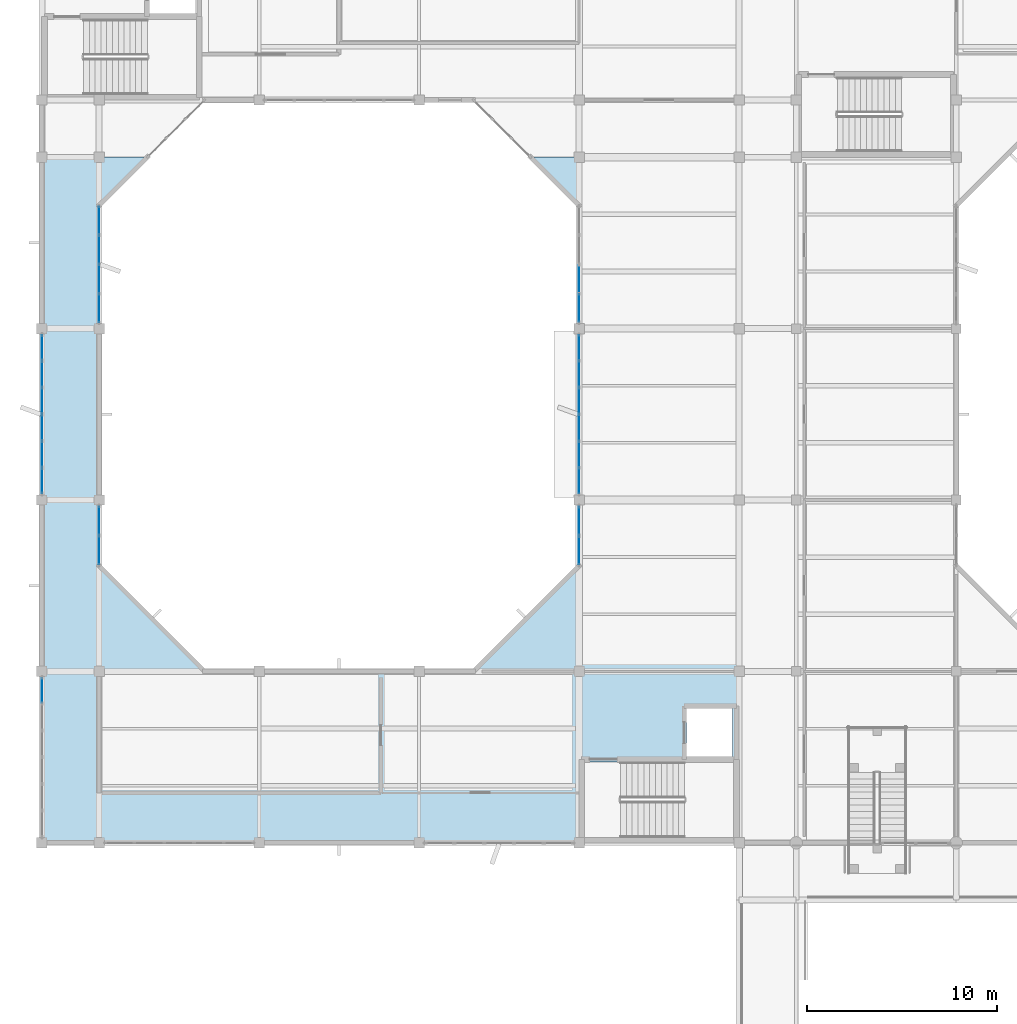
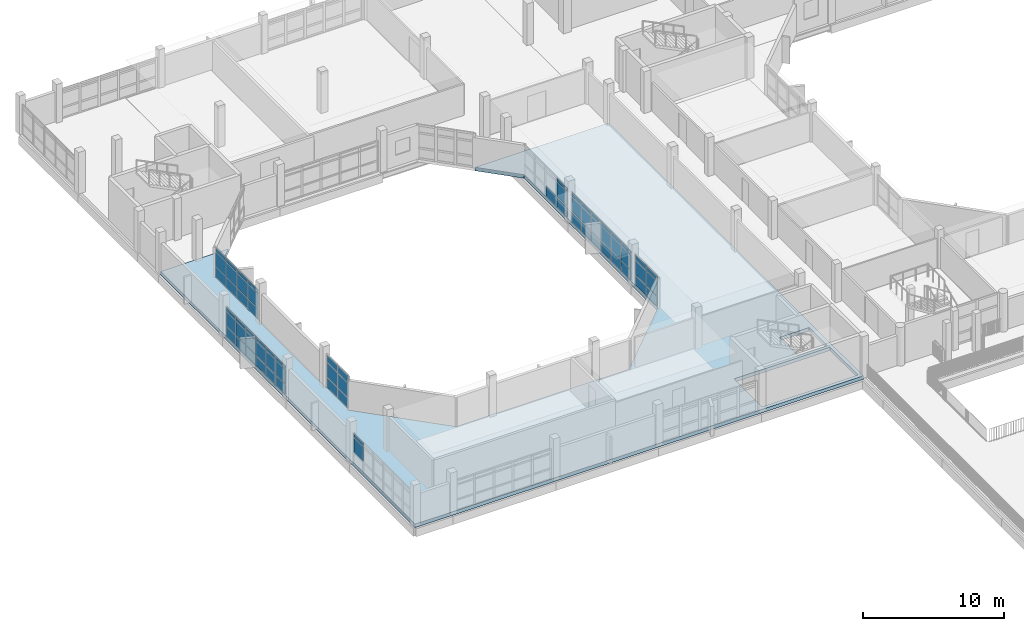
# One storey, part 24 of 51: 66 plates, 1 slab, 7 elements without a shape of their own.
"""IFC4 building model written with IfcOpenShell, lengths in metres."""

from ifc_helpers import new_model, si_unit, direction, frame, origin, origin_2d, place, context, subcontext, project, spatial, polyline, rectangle, outline, extrude, material, layer, layer_set, type_object, element, aggregate, save


model = new_model("IFC4")

# Units and contexts
model_context = context("Model", 3, precision=1e-05, world=origin(), true_north=direction((0.0, 1.0)))
body_context = subcontext(model_context, "Body", "Model", "MODEL_VIEW")
ifc_project = project(units=[si_unit("LENGTHUNIT", "METRE"), si_unit("AREAUNIT", "SQUARE_METRE"), si_unit("VOLUMEUNIT", "CUBIC_METRE"), si_unit("PLANEANGLEUNIT", "RADIAN"), si_unit("MASSUNIT", "GRAM", prefix="KILO")], contexts=[model_context])

# Site, building, storey
site_placement = place(None, origin())
site = spatial("IfcSite", under=ifc_project, at=site_placement, CompositionType="ELEMENT")
building_placement = place(site_placement, origin())
building = spatial("IfcBuilding", under=site, at=building_placement, Name="Vanh Quang Courtyard School", CompositionType="ELEMENT")
storey_placement = place(building_placement, frame((0.0, 0.0, 11.39990234375)))
storey = spatial("IfcBuildingStorey", under=building, at=storey_placement, Name="L03", CompositionType="ELEMENT", Elevation=11.39990234375)

# Curtain wall, plates
ifc_material_1 = material(Name="Thermally broken aluminium unitised curtain wall", Category="aluminium")
curtain_wall_type_1 = type_object("IfcCurtainWallType", Name="CW-SYS-48", PredefinedType="NOTDEFINED", material=ifc_material_1)
curtain_wall_1_placement = place(storey_placement, origin())
curtain_wall_1 = element("IfcCurtainWall", 1, at=curtain_wall_1_placement, inside=storey, type_object=curtain_wall_type_1, Name="Curtain Wall CW-48 (L03)", PredefinedType="NOTDEFINED")
ifc_material_2 = material(Name="Low-E laminated double glazing", Category="glass")
ifc_layer_1 = layer(ifc_material_2, 0.028076171875)
ifc_layer_set_1 = layer_set([ifc_layer_1], Name="Low-E laminated double glazing")
plate_type_1 = type_object("IfcPlateType", Name="CW-PNL-28", PredefinedType="CURTAIN_PANEL", material=ifc_layer_set_1)
plate_1_placement = place(storey_placement, frame((37.800048828125, 51.40576171875, 0.080078125), z_axis=(0.0, 0.0, 1.0), x_axis=(0.0, 1.0, 0.0)))
plate_1 = element("IfcPlate", 2, at=plate_1_placement, type_object=plate_type_1, Name="CW-48 panel 1.1", PredefinedType="CURTAIN_PANEL", context=body_context, shape_type="SweptSolid", body=[
    extrude(rectangle(XDim=1.28564453125, YDim=0.028076171875, at=origin_2d()), origin(), (0.0, 0.0, 1.0), 0.830078125),
])
plate_2_placement = place(storey_placement, frame((37.800048828125, 51.40576171875, 0.990234375), z_axis=(0.0, 0.0, 1.0), x_axis=(0.0, 1.0, 0.0)))
plate_2 = element("IfcPlate", 3, at=plate_2_placement, type_object=plate_type_1, Name="CW-48 panel 1.2", PredefinedType="CURTAIN_PANEL", context=body_context, shape_type="SweptSolid", body=[
    extrude(rectangle(XDim=1.28564453125, YDim=0.028076171875, at=origin_2d()), origin(), (0.0, 0.0, 1.0), 1.219970703125),
])
plate_3_placement = place(storey_placement, frame((37.800048828125, 51.40576171875, 2.2900390625), z_axis=(0.0, 0.0, 1.0), x_axis=(0.0, 1.0, 0.0)))
plate_3 = element("IfcPlate", 4, at=plate_3_placement, type_object=plate_type_1, Name="CW-48 panel 1.3", PredefinedType="CURTAIN_PANEL", context=body_context, shape_type="SweptSolid", body=[
    extrude(rectangle(XDim=1.28564453125, YDim=0.028076171875, at=origin_2d()), origin(), (0.0, 0.0, 1.0), 0.27001953125),
])
plate_4_placement = place(storey_placement, frame((37.800048828125, 52.79150390625, 0.080078125), z_axis=(0.0, 0.0, 1.0), x_axis=(0.0, 1.0, 0.0)))
plate_4 = element("IfcPlate", 5, at=plate_4_placement, type_object=plate_type_1, Name="CW-48 panel 2.1", PredefinedType="CURTAIN_PANEL", context=body_context, shape_type="SweptSolid", body=[
    extrude(rectangle(XDim=1.32568359375, YDim=0.028076171875, at=origin_2d()), origin(), (0.0, 0.0, 1.0), 0.830078125),
])
plate_5_placement = place(storey_placement, frame((37.800048828125, 52.79150390625, 0.990234375), z_axis=(0.0, 0.0, 1.0), x_axis=(0.0, 1.0, 0.0)))
plate_5 = element("IfcPlate", 6, at=plate_5_placement, type_object=plate_type_1, Name="CW-48 panel 2.2", PredefinedType="CURTAIN_PANEL", context=body_context, shape_type="SweptSolid", body=[
    extrude(rectangle(XDim=1.32568359375, YDim=0.028076171875, at=origin_2d()), origin(), (0.0, 0.0, 1.0), 1.219970703125),
])
plate_6_placement = place(storey_placement, frame((37.800048828125, 52.79150390625, 2.2900390625), z_axis=(0.0, 0.0, 1.0), x_axis=(0.0, 1.0, 0.0)))
plate_6 = element("IfcPlate", 7, at=plate_6_placement, type_object=plate_type_1, Name="CW-48 panel 2.3", PredefinedType="CURTAIN_PANEL", context=body_context, shape_type="SweptSolid", body=[
    extrude(rectangle(XDim=1.32568359375, YDim=0.028076171875, at=origin_2d()), origin(), (0.0, 0.0, 1.0), 0.27001953125),
])
plate_7_placement = place(storey_placement, frame((37.800048828125, 54.197265625, 0.080078125), z_axis=(0.0, 0.0, 1.0), x_axis=(0.0, 1.0, 0.0)))
plate_7 = element("IfcPlate", 8, at=plate_7_placement, type_object=plate_type_1, Name="CW-48 panel 3.1", PredefinedType="CURTAIN_PANEL", context=body_context, shape_type="SweptSolid", body=[
    extrude(rectangle(XDim=1.32568359375, YDim=0.028076171875, at=origin_2d()), origin(), (0.0, 0.0, 1.0), 0.830078125),
])
plate_8_placement = place(storey_placement, frame((37.800048828125, 54.197265625, 0.990234375), z_axis=(0.0, 0.0, 1.0), x_axis=(0.0, 1.0, 0.0)))
plate_8 = element("IfcPlate", 9, at=plate_8_placement, type_object=plate_type_1, Name="CW-48 panel 3.2", PredefinedType="CURTAIN_PANEL", context=body_context, shape_type="SweptSolid", body=[
    extrude(rectangle(XDim=1.32568359375, YDim=0.028076171875, at=origin_2d()), origin(), (0.0, 0.0, 1.0), 1.219970703125),
])
plate_9_placement = place(storey_placement, frame((37.800048828125, 54.197265625, 2.2900390625), z_axis=(0.0, 0.0, 1.0), x_axis=(0.0, 1.0, 0.0)))
plate_9 = element("IfcPlate", 10, at=plate_9_placement, type_object=plate_type_1, Name="CW-48 panel 3.3", PredefinedType="CURTAIN_PANEL", context=body_context, shape_type="SweptSolid", body=[
    extrude(rectangle(XDim=1.32568359375, YDim=0.028076171875, at=origin_2d()), origin(), (0.0, 0.0, 1.0), 0.27001953125),
])
plate_10_placement = place(storey_placement, frame((37.800048828125, 55.602783203125, 0.080078125), z_axis=(0.0, 0.0, 1.0), x_axis=(0.0, 1.0, 0.0)))
plate_10 = element("IfcPlate", 11, at=plate_10_placement, type_object=plate_type_1, Name="CW-48 panel 4.1", PredefinedType="CURTAIN_PANEL", context=body_context, shape_type="SweptSolid", body=[
    extrude(rectangle(XDim=1.32568359375, YDim=0.028076171875, at=origin_2d()), origin(), (0.0, 0.0, 1.0), 0.830078125),
])
plate_11_placement = place(storey_placement, frame((37.800048828125, 55.602783203125, 0.990234375), z_axis=(0.0, 0.0, 1.0), x_axis=(0.0, 1.0, 0.0)))
plate_11 = element("IfcPlate", 12, at=plate_11_placement, type_object=plate_type_1, Name="CW-48 panel 4.2", PredefinedType="CURTAIN_PANEL", context=body_context, shape_type="SweptSolid", body=[
    extrude(rectangle(XDim=1.32568359375, YDim=0.028076171875, at=origin_2d()), origin(), (0.0, 0.0, 1.0), 1.219970703125),
])
plate_12_placement = place(storey_placement, frame((37.800048828125, 55.602783203125, 2.2900390625), z_axis=(0.0, 0.0, 1.0), x_axis=(0.0, 1.0, 0.0)))
plate_12 = element("IfcPlate", 13, at=plate_12_placement, type_object=plate_type_1, Name="CW-48 panel 4.3", PredefinedType="CURTAIN_PANEL", context=body_context, shape_type="SweptSolid", body=[
    extrude(rectangle(XDim=1.32568359375, YDim=0.028076171875, at=origin_2d()), origin(), (0.0, 0.0, 1.0), 0.27001953125),
])
plate_13_placement = place(storey_placement, frame((37.800048828125, 57.008544921875, 0.080078125), z_axis=(0.0, 0.0, 1.0), x_axis=(0.0, 1.0, 0.0)))
plate_13 = element("IfcPlate", 14, at=plate_13_placement, type_object=plate_type_1, Name="CW-48 panel 5.1", PredefinedType="CURTAIN_PANEL", context=body_context, shape_type="SweptSolid", body=[
    extrude(rectangle(XDim=1.32568359375, YDim=0.028076171875, at=origin_2d()), origin(), (0.0, 0.0, 1.0), 0.830078125),
])
plate_14_placement = place(storey_placement, frame((37.800048828125, 57.008544921875, 0.990234375), z_axis=(0.0, 0.0, 1.0), x_axis=(0.0, 1.0, 0.0)))
plate_14 = element("IfcPlate", 15, at=plate_14_placement, type_object=plate_type_1, Name="CW-48 panel 5.2", PredefinedType="CURTAIN_PANEL", context=body_context, shape_type="SweptSolid", body=[
    extrude(rectangle(XDim=1.32568359375, YDim=0.028076171875, at=origin_2d()), origin(), (0.0, 0.0, 1.0), 1.219970703125),
])
plate_15_placement = place(storey_placement, frame((37.800048828125, 57.008544921875, 2.2900390625), z_axis=(0.0, 0.0, 1.0), x_axis=(0.0, 1.0, 0.0)))
plate_15 = element("IfcPlate", 16, at=plate_15_placement, type_object=plate_type_1, Name="CW-48 panel 5.3", PredefinedType="CURTAIN_PANEL", context=body_context, shape_type="SweptSolid", body=[
    extrude(rectangle(XDim=1.32568359375, YDim=0.028076171875, at=origin_2d()), origin(), (0.0, 0.0, 1.0), 0.27001953125),
])
plate_16_placement = place(storey_placement, frame((37.800048828125, 58.394287109375, 0.080078125), z_axis=(0.0, 0.0, 1.0), x_axis=(0.0, 1.0, 0.0)))
plate_16 = element("IfcPlate", 17, at=plate_16_placement, type_object=plate_type_1, Name="CW-48 panel 6.1", PredefinedType="CURTAIN_PANEL", context=body_context, shape_type="SweptSolid", body=[
    extrude(rectangle(XDim=1.28564453125, YDim=0.028076171875, at=origin_2d()), origin(), (0.0, 0.0, 1.0), 0.830078125),
])
plate_17_placement = place(storey_placement, frame((37.800048828125, 58.394287109375, 0.990234375), z_axis=(0.0, 0.0, 1.0), x_axis=(0.0, 1.0, 0.0)))
plate_17 = element("IfcPlate", 18, at=plate_17_placement, type_object=plate_type_1, Name="CW-48 panel 6.2", PredefinedType="CURTAIN_PANEL", context=body_context, shape_type="SweptSolid", body=[
    extrude(rectangle(XDim=1.28564453125, YDim=0.028076171875, at=origin_2d()), origin(), (0.0, 0.0, 1.0), 1.219970703125),
])
plate_18_placement = place(storey_placement, frame((37.800048828125, 58.394287109375, 2.2900390625), z_axis=(0.0, 0.0, 1.0), x_axis=(0.0, 1.0, 0.0)))
plate_18 = element("IfcPlate", 19, at=plate_18_placement, type_object=plate_type_1, Name="CW-48 panel 6.3", PredefinedType="CURTAIN_PANEL", context=body_context, shape_type="SweptSolid", body=[
    extrude(rectangle(XDim=1.28564453125, YDim=0.028076171875, at=origin_2d()), origin(), (0.0, 0.0, 1.0), 0.27001953125),
])
aggregate(curtain_wall_1, [plate_1, plate_2, plate_3, plate_4, plate_5, plate_6, plate_7, plate_8, plate_9, plate_10, plate_11, plate_12, plate_13, plate_14, plate_15, plate_16, plate_17, plate_18])

curtain_wall_type_2 = type_object("IfcCurtainWallType", Name="CW-SYS-45", PredefinedType="NOTDEFINED", material=ifc_material_1)
curtain_wall_2_placement = place(storey_placement, origin())
curtain_wall_2 = element("IfcCurtainWall", 20, at=curtain_wall_2_placement, inside=storey, type_object=curtain_wall_type_2, Name="Curtain Wall CW-45 (L03)", PredefinedType="NOTDEFINED")
plate_19_placement = place(storey_placement, frame((40.800048828125, 49.30615234375, 0.0703125), z_axis=(0.0, 0.0, 1.0), x_axis=(0.0, -1.0, 0.0)))
plate_19 = element("IfcPlate", 21, at=plate_19_placement, type_object=plate_type_1, Name="CW-45 panel 1.1", PredefinedType="CURTAIN_PANEL", context=body_context, shape_type="SweptSolid", body=[
    extrude(rectangle(XDim=1.4814453125, YDim=0.028076171875, at=origin_2d()), origin(), (0.0, 0.0, 1.0), 0.844970703125),
])
plate_20_placement = place(storey_placement, frame((40.800048828125, 49.30615234375, 0.985107421875), z_axis=(0.0, 0.0, 1.0), x_axis=(0.0, -1.0, 0.0)))
plate_20 = element("IfcPlate", 22, at=plate_20_placement, type_object=plate_type_1, Name="CW-45 panel 1.2", PredefinedType="CURTAIN_PANEL", context=body_context, shape_type="SweptSolid", body=[
    extrude(rectangle(XDim=1.4814453125, YDim=0.028076171875, at=origin_2d()), origin(), (0.0, 0.0, 1.0), 1.22998046875),
])
plate_21_placement = place(storey_placement, frame((40.800048828125, 49.30615234375, 2.28515625), z_axis=(0.0, 0.0, 1.0), x_axis=(0.0, -1.0, 0.0)))
plate_21 = element("IfcPlate", 23, at=plate_21_placement, type_object=plate_type_1, Name="CW-45 panel 1.3", PredefinedType="CURTAIN_PANEL", context=body_context, shape_type="SweptSolid", body=[
    extrude(rectangle(XDim=1.4814453125, YDim=0.028076171875, at=origin_2d()), origin(), (0.0, 0.0, 1.0), 0.5849609375),
])
plate_22_placement = place(storey_placement, frame((40.800048828125, 47.754638671875, 0.0703125), z_axis=(0.0, 0.0, 1.0), x_axis=(0.0, -1.0, 0.0)))
plate_22 = element("IfcPlate", 24, at=plate_22_placement, type_object=plate_type_1, Name="CW-45 panel 2.1", PredefinedType="CURTAIN_PANEL", context=body_context, shape_type="SweptSolid", body=[
    extrude(rectangle(XDim=1.4814453125, YDim=0.028076171875, at=origin_2d()), origin(), (0.0, 0.0, 1.0), 0.844970703125),
])
plate_23_placement = place(storey_placement, frame((40.800048828125, 47.754638671875, 0.985107421875), z_axis=(0.0, 0.0, 1.0), x_axis=(0.0, -1.0, 0.0)))
plate_23 = element("IfcPlate", 25, at=plate_23_placement, type_object=plate_type_1, Name="CW-45 panel 2.2", PredefinedType="CURTAIN_PANEL", context=body_context, shape_type="SweptSolid", body=[
    extrude(rectangle(XDim=1.4814453125, YDim=0.028076171875, at=origin_2d()), origin(), (0.0, 0.0, 1.0), 1.22998046875),
])
plate_24_placement = place(storey_placement, frame((40.800048828125, 47.754638671875, 2.28515625), z_axis=(0.0, 0.0, 1.0), x_axis=(0.0, -1.0, 0.0)))
plate_24 = element("IfcPlate", 26, at=plate_24_placement, type_object=plate_type_1, Name="CW-45 panel 2.3", PredefinedType="CURTAIN_PANEL", context=body_context, shape_type="SweptSolid", body=[
    extrude(rectangle(XDim=1.4814453125, YDim=0.028076171875, at=origin_2d()), origin(), (0.0, 0.0, 1.0), 0.5849609375),
])
aggregate(curtain_wall_2, [plate_19, plate_20, plate_21, plate_22, plate_23, plate_24])

curtain_wall_3_placement = place(storey_placement, origin())
curtain_wall_3 = element("IfcCurtainWall", 27, at=curtain_wall_3_placement, inside=storey, type_object=curtain_wall_type_1, Name="Curtain Wall CW-48 (L03)", PredefinedType="NOTDEFINED")
plate_25_placement = place(storey_placement, frame((66.0, 51.40087890625, 0.06005859375), z_axis=(0.0, 0.0, 1.0), x_axis=(0.0, 1.0, 0.0)))
plate_25 = element("IfcPlate", 28, at=plate_25_placement, type_object=plate_type_1, Name="CW-48 panel 1.1", PredefinedType="CURTAIN_PANEL", context=body_context, shape_type="SweptSolid", body=[
    extrude(rectangle(XDim=1.315673828125, YDim=0.028076171875, at=origin_2d()), origin(), (0.0, 0.0, 1.0), 0.860107421875),
])
plate_26_placement = place(storey_placement, frame((66.0, 51.40087890625, 0.97998046875), z_axis=(0.0, 0.0, 1.0), x_axis=(0.0, 1.0, 0.0)))
plate_26 = element("IfcPlate", 29, at=plate_26_placement, type_object=plate_type_1, Name="CW-48 panel 1.2", PredefinedType="CURTAIN_PANEL", context=body_context, shape_type="SweptSolid", body=[
    extrude(rectangle(XDim=1.315673828125, YDim=0.028076171875, at=origin_2d()), origin(), (0.0, 0.0, 1.0), 1.239990234375),
])
plate_27_placement = place(storey_placement, frame((66.0, 51.40087890625, 2.2802734375), z_axis=(0.0, 0.0, 1.0), x_axis=(0.0, 1.0, 0.0)))
plate_27 = element("IfcPlate", 30, at=plate_27_placement, type_object=plate_type_1, Name="CW-48 panel 1.3", PredefinedType="CURTAIN_PANEL", context=body_context, shape_type="SweptSolid", body=[
    extrude(rectangle(XDim=1.315673828125, YDim=0.028076171875, at=origin_2d()), origin(), (0.0, 0.0, 1.0), 0.300048828125),
])
plate_28_placement = place(storey_placement, frame((66.0, 52.79150390625, 0.06005859375), z_axis=(0.0, 0.0, 1.0), x_axis=(0.0, 1.0, 0.0)))
plate_28 = element("IfcPlate", 31, at=plate_28_placement, type_object=plate_type_1, Name="CW-48 panel 2.1", PredefinedType="CURTAIN_PANEL", context=body_context, shape_type="SweptSolid", body=[
    extrude(rectangle(XDim=1.345703125, YDim=0.028076171875, at=origin_2d()), origin(), (0.0, 0.0, 1.0), 0.860107421875),
])
plate_29_placement = place(storey_placement, frame((66.0, 52.79150390625, 0.97998046875), z_axis=(0.0, 0.0, 1.0), x_axis=(0.0, 1.0, 0.0)))
plate_29 = element("IfcPlate", 32, at=plate_29_placement, type_object=plate_type_1, Name="CW-48 panel 2.2", PredefinedType="CURTAIN_PANEL", context=body_context, shape_type="SweptSolid", body=[
    extrude(rectangle(XDim=1.345703125, YDim=0.028076171875, at=origin_2d()), origin(), (0.0, 0.0, 1.0), 1.239990234375),
])
plate_30_placement = place(storey_placement, frame((66.0, 52.79150390625, 2.2802734375), z_axis=(0.0, 0.0, 1.0), x_axis=(0.0, 1.0, 0.0)))
plate_30 = element("IfcPlate", 33, at=plate_30_placement, type_object=plate_type_1, Name="CW-48 panel 2.3", PredefinedType="CURTAIN_PANEL", context=body_context, shape_type="SweptSolid", body=[
    extrude(rectangle(XDim=1.345703125, YDim=0.028076171875, at=origin_2d()), origin(), (0.0, 0.0, 1.0), 0.300048828125),
])
plate_31_placement = place(storey_placement, frame((66.0, 54.197265625, 0.06005859375), z_axis=(0.0, 0.0, 1.0), x_axis=(0.0, 1.0, 0.0)))
plate_31 = element("IfcPlate", 34, at=plate_31_placement, type_object=plate_type_1, Name="CW-48 panel 3.1", PredefinedType="CURTAIN_PANEL", context=body_context, shape_type="SweptSolid", body=[
    extrude(rectangle(XDim=1.345703125, YDim=0.028076171875, at=origin_2d()), origin(), (0.0, 0.0, 1.0), 0.860107421875),
])
plate_32_placement = place(storey_placement, frame((66.0, 54.197265625, 0.97998046875), z_axis=(0.0, 0.0, 1.0), x_axis=(0.0, 1.0, 0.0)))
plate_32 = element("IfcPlate", 35, at=plate_32_placement, type_object=plate_type_1, Name="CW-48 panel 3.2", PredefinedType="CURTAIN_PANEL", context=body_context, shape_type="SweptSolid", body=[
    extrude(rectangle(XDim=1.345703125, YDim=0.028076171875, at=origin_2d()), origin(), (0.0, 0.0, 1.0), 1.239990234375),
])
plate_33_placement = place(storey_placement, frame((66.0, 54.197265625, 2.2802734375), z_axis=(0.0, 0.0, 1.0), x_axis=(0.0, 1.0, 0.0)))
plate_33 = element("IfcPlate", 36, at=plate_33_placement, type_object=plate_type_1, Name="CW-48 panel 3.3", PredefinedType="CURTAIN_PANEL", context=body_context, shape_type="SweptSolid", body=[
    extrude(rectangle(XDim=1.345703125, YDim=0.028076171875, at=origin_2d()), origin(), (0.0, 0.0, 1.0), 0.300048828125),
])
plate_34_placement = place(storey_placement, frame((66.0, 55.602783203125, 0.06005859375), z_axis=(0.0, 0.0, 1.0), x_axis=(0.0, 1.0, 0.0)))
plate_34 = element("IfcPlate", 37, at=plate_34_placement, type_object=plate_type_1, Name="CW-48 panel 4.1", PredefinedType="CURTAIN_PANEL", context=body_context, shape_type="SweptSolid", body=[
    extrude(rectangle(XDim=1.345703125, YDim=0.028076171875, at=origin_2d()), origin(), (0.0, 0.0, 1.0), 0.860107421875),
])
plate_35_placement = place(storey_placement, frame((66.0, 55.602783203125, 0.97998046875), z_axis=(0.0, 0.0, 1.0), x_axis=(0.0, 1.0, 0.0)))
plate_35 = element("IfcPlate", 38, at=plate_35_placement, type_object=plate_type_1, Name="CW-48 panel 4.2", PredefinedType="CURTAIN_PANEL", context=body_context, shape_type="SweptSolid", body=[
    extrude(rectangle(XDim=1.345703125, YDim=0.028076171875, at=origin_2d()), origin(), (0.0, 0.0, 1.0), 1.239990234375),
])
plate_36_placement = place(storey_placement, frame((66.0, 55.602783203125, 2.2802734375), z_axis=(0.0, 0.0, 1.0), x_axis=(0.0, 1.0, 0.0)))
plate_36 = element("IfcPlate", 39, at=plate_36_placement, type_object=plate_type_1, Name="CW-48 panel 4.3", PredefinedType="CURTAIN_PANEL", context=body_context, shape_type="SweptSolid", body=[
    extrude(rectangle(XDim=1.345703125, YDim=0.028076171875, at=origin_2d()), origin(), (0.0, 0.0, 1.0), 0.300048828125),
])
plate_37_placement = place(storey_placement, frame((66.0, 57.008544921875, 0.06005859375), z_axis=(0.0, 0.0, 1.0), x_axis=(0.0, 1.0, 0.0)))
plate_37 = element("IfcPlate", 40, at=plate_37_placement, type_object=plate_type_1, Name="CW-48 panel 5.1", PredefinedType="CURTAIN_PANEL", context=body_context, shape_type="SweptSolid", body=[
    extrude(rectangle(XDim=1.345703125, YDim=0.028076171875, at=origin_2d()), origin(), (0.0, 0.0, 1.0), 0.860107421875),
])
plate_38_placement = place(storey_placement, frame((66.0, 57.008544921875, 0.97998046875), z_axis=(0.0, 0.0, 1.0), x_axis=(0.0, 1.0, 0.0)))
plate_38 = element("IfcPlate", 41, at=plate_38_placement, type_object=plate_type_1, Name="CW-48 panel 5.2", PredefinedType="CURTAIN_PANEL", context=body_context, shape_type="SweptSolid", body=[
    extrude(rectangle(XDim=1.345703125, YDim=0.028076171875, at=origin_2d()), origin(), (0.0, 0.0, 1.0), 1.239990234375),
])
plate_39_placement = place(storey_placement, frame((66.0, 57.008544921875, 2.2802734375), z_axis=(0.0, 0.0, 1.0), x_axis=(0.0, 1.0, 0.0)))
plate_39 = element("IfcPlate", 42, at=plate_39_placement, type_object=plate_type_1, Name="CW-48 panel 5.3", PredefinedType="CURTAIN_PANEL", context=body_context, shape_type="SweptSolid", body=[
    extrude(rectangle(XDim=1.345703125, YDim=0.028076171875, at=origin_2d()), origin(), (0.0, 0.0, 1.0), 0.300048828125),
])
plate_40_placement = place(storey_placement, frame((66.0, 58.399169921875, 0.06005859375), z_axis=(0.0, 0.0, 1.0), x_axis=(0.0, 1.0, 0.0)))
plate_40 = element("IfcPlate", 43, at=plate_40_placement, type_object=plate_type_1, Name="CW-48 panel 6.1", PredefinedType="CURTAIN_PANEL", context=body_context, shape_type="SweptSolid", body=[
    extrude(rectangle(XDim=1.315673828125, YDim=0.028076171875, at=origin_2d()), origin(), (0.0, 0.0, 1.0), 0.860107421875),
])
plate_41_placement = place(storey_placement, frame((66.0, 58.399169921875, 0.97998046875), z_axis=(0.0, 0.0, 1.0), x_axis=(0.0, 1.0, 0.0)))
plate_41 = element("IfcPlate", 44, at=plate_41_placement, type_object=plate_type_1, Name="CW-48 panel 6.2", PredefinedType="CURTAIN_PANEL", context=body_context, shape_type="SweptSolid", body=[
    extrude(rectangle(XDim=1.315673828125, YDim=0.028076171875, at=origin_2d()), origin(), (0.0, 0.0, 1.0), 1.239990234375),
])
plate_42_placement = place(storey_placement, frame((66.0, 58.399169921875, 2.2802734375), z_axis=(0.0, 0.0, 1.0), x_axis=(0.0, 1.0, 0.0)))
plate_42 = element("IfcPlate", 45, at=plate_42_placement, type_object=plate_type_1, Name="CW-48 panel 6.3", PredefinedType="CURTAIN_PANEL", context=body_context, shape_type="SweptSolid", body=[
    extrude(rectangle(XDim=1.315673828125, YDim=0.028076171875, at=origin_2d()), origin(), (0.0, 0.0, 1.0), 0.300048828125),
])
aggregate(curtain_wall_3, [plate_25, plate_26, plate_27, plate_28, plate_29, plate_30, plate_31, plate_32, plate_33, plate_34, plate_35, plate_36, plate_37, plate_38, plate_39, plate_40, plate_41, plate_42])

curtain_wall_4_placement = place(storey_placement, origin())
curtain_wall_4 = element("IfcCurtainWall", 46, at=curtain_wall_4_placement, inside=storey, type_object=curtain_wall_type_1, Name="Curtain Wall CW-48 (L03)", PredefinedType="NOTDEFINED")
ifc_layer_2 = layer(ifc_material_2, 0.031982421875)
ifc_layer_set_2 = layer_set([ifc_layer_2], Name="Low-E laminated double glazing")
plate_type_2 = type_object("IfcPlateType", Name="CW-PNL-32", PredefinedType="CURTAIN_PANEL", material=ifc_layer_set_2)
plate_43_placement = place(storey_placement, frame((37.800048828125, 40.396728515625, 0.985107421875), z_axis=(0.0, 0.0, 1.0), x_axis=(0.0, 1.0, 0.0)))
plate_43 = element("IfcPlate", 47, at=plate_43_placement, type_object=plate_type_2, Name="CW-48 panel 6.2", PredefinedType="CURTAIN_PANEL", context=body_context, shape_type="SweptSolid", body=[
    extrude(rectangle(XDim=1.30078125, YDim=0.031982421875, at=origin_2d()), origin(), (0.0, 0.0, 1.0), 1.22998046875),
])
plate_44_placement = place(storey_placement, frame((37.800048828125, 40.396728515625, 2.28515625), z_axis=(0.0, 0.0, 1.0), x_axis=(0.0, 1.0, 0.0)))
plate_44 = element("IfcPlate", 48, at=plate_44_placement, type_object=plate_type_2, Name="CW-48 panel 6.3", PredefinedType="CURTAIN_PANEL", context=body_context, shape_type="SweptSolid", body=[
    extrude(rectangle(XDim=1.30078125, YDim=0.031982421875, at=origin_2d()), origin(), (0.0, 0.0, 1.0), 0.284912109375),
])
aggregate(curtain_wall_4, [plate_43, plate_44])

curtain_wall_type_3 = type_object("IfcCurtainWallType", Name="CW-SYS-44", PredefinedType="NOTDEFINED", material=ifc_material_1)
curtain_wall_5_placement = place(storey_placement, origin())
curtain_wall_5 = element("IfcCurtainWall", 49, at=curtain_wall_5_placement, inside=storey, type_object=curtain_wall_type_3, Name="Curtain Wall CW-44 (L03)", PredefinedType="NOTDEFINED")
plate_45_placement = place(storey_placement, frame((40.800048828125, 65.0693359375, 0.06005859375), z_axis=(0.0, 0.0, 1.0), x_axis=(0.0, -1.0, 0.0)))
plate_45 = element("IfcPlate", 50, at=plate_45_placement, type_object=plate_type_2, Name="CW-44 panel 1.1", PredefinedType="CURTAIN_PANEL", context=body_context, shape_type="SweptSolid", body=[
    extrude(rectangle(XDim=1.453369140625, YDim=0.031982421875, at=origin_2d()), origin(), (0.0, 0.0, 1.0), 0.860107421875),
])
plate_46_placement = place(storey_placement, frame((40.800048828125, 65.0693359375, 0.97998046875), z_axis=(0.0, 0.0, 1.0), x_axis=(0.0, -1.0, 0.0)))
plate_46 = element("IfcPlate", 51, at=plate_46_placement, type_object=plate_type_2, Name="CW-44 panel 1.2", PredefinedType="CURTAIN_PANEL", context=body_context, shape_type="SweptSolid", body=[
    extrude(rectangle(XDim=1.453369140625, YDim=0.031982421875, at=origin_2d()), origin(), (0.0, 0.0, 1.0), 1.239990234375),
])
plate_47_placement = place(storey_placement, frame((40.800048828125, 65.0693359375, 2.2802734375), z_axis=(0.0, 0.0, 1.0), x_axis=(0.0, -1.0, 0.0)))
plate_47 = element("IfcPlate", 52, at=plate_47_placement, type_object=plate_type_2, Name="CW-44 panel 1.3", PredefinedType="CURTAIN_PANEL", context=body_context, shape_type="SweptSolid", body=[
    extrude(rectangle(XDim=1.453369140625, YDim=0.031982421875, at=origin_2d()), origin(), (0.0, 0.0, 1.0), 0.300048828125),
])
plate_48_placement = place(storey_placement, frame((40.800048828125, 63.541015625, 0.06005859375), z_axis=(0.0, 0.0, 1.0), x_axis=(0.0, -1.0, 0.0)))
plate_48 = element("IfcPlate", 53, at=plate_48_placement, type_object=plate_type_2, Name="CW-44 panel 2.1", PredefinedType="CURTAIN_PANEL", context=body_context, shape_type="SweptSolid", body=[
    extrude(rectangle(XDim=1.483154296875, YDim=0.031982421875, at=origin_2d()), origin(), (0.0, 0.0, 1.0), 0.860107421875),
])
plate_49_placement = place(storey_placement, frame((40.800048828125, 63.541015625, 0.97998046875), z_axis=(0.0, 0.0, 1.0), x_axis=(0.0, -1.0, 0.0)))
plate_49 = element("IfcPlate", 54, at=plate_49_placement, type_object=plate_type_2, Name="CW-44 panel 2.2", PredefinedType="CURTAIN_PANEL", context=body_context, shape_type="SweptSolid", body=[
    extrude(rectangle(XDim=1.483154296875, YDim=0.031982421875, at=origin_2d()), origin(), (0.0, 0.0, 1.0), 1.239990234375),
])
plate_50_placement = place(storey_placement, frame((40.800048828125, 63.541015625, 2.2802734375), z_axis=(0.0, 0.0, 1.0), x_axis=(0.0, -1.0, 0.0)))
plate_50 = element("IfcPlate", 55, at=plate_50_placement, type_object=plate_type_2, Name="CW-44 panel 2.3", PredefinedType="CURTAIN_PANEL", context=body_context, shape_type="SweptSolid", body=[
    extrude(rectangle(XDim=1.483154296875, YDim=0.031982421875, at=origin_2d()), origin(), (0.0, 0.0, 1.0), 0.300048828125),
])
plate_51_placement = place(storey_placement, frame((40.800048828125, 61.997802734375, 0.06005859375), z_axis=(0.0, 0.0, 1.0), x_axis=(0.0, -1.0, 0.0)))
plate_51 = element("IfcPlate", 56, at=plate_51_placement, type_object=plate_type_2, Name="CW-44 panel 3.1", PredefinedType="CURTAIN_PANEL", context=body_context, shape_type="SweptSolid", body=[
    extrude(rectangle(XDim=1.483154296875, YDim=0.031982421875, at=origin_2d()), origin(), (0.0, 0.0, 1.0), 0.860107421875),
])
plate_52_placement = place(storey_placement, frame((40.800048828125, 61.997802734375, 0.97998046875), z_axis=(0.0, 0.0, 1.0), x_axis=(0.0, -1.0, 0.0)))
plate_52 = element("IfcPlate", 57, at=plate_52_placement, type_object=plate_type_2, Name="CW-44 panel 3.2", PredefinedType="CURTAIN_PANEL", context=body_context, shape_type="SweptSolid", body=[
    extrude(rectangle(XDim=1.483154296875, YDim=0.031982421875, at=origin_2d()), origin(), (0.0, 0.0, 1.0), 1.239990234375),
])
plate_53_placement = place(storey_placement, frame((40.800048828125, 61.997802734375, 2.2802734375), z_axis=(0.0, 0.0, 1.0), x_axis=(0.0, -1.0, 0.0)))
plate_53 = element("IfcPlate", 58, at=plate_53_placement, type_object=plate_type_2, Name="CW-44 panel 3.3", PredefinedType="CURTAIN_PANEL", context=body_context, shape_type="SweptSolid", body=[
    extrude(rectangle(XDim=1.483154296875, YDim=0.031982421875, at=origin_2d()), origin(), (0.0, 0.0, 1.0), 0.300048828125),
])
plate_54_placement = place(storey_placement, frame((40.800048828125, 60.4697265625, 0.06005859375), z_axis=(0.0, 0.0, 1.0), x_axis=(0.0, -1.0, 0.0)))
plate_54 = element("IfcPlate", 59, at=plate_54_placement, type_object=plate_type_2, Name="CW-44 panel 4.1", PredefinedType="CURTAIN_PANEL", context=body_context, shape_type="SweptSolid", body=[
    extrude(rectangle(XDim=1.453369140625, YDim=0.031982421875, at=origin_2d()), origin(), (0.0, 0.0, 1.0), 0.860107421875),
])
plate_55_placement = place(storey_placement, frame((40.800048828125, 60.4697265625, 0.97998046875), z_axis=(0.0, 0.0, 1.0), x_axis=(0.0, -1.0, 0.0)))
plate_55 = element("IfcPlate", 60, at=plate_55_placement, type_object=plate_type_2, Name="CW-44 panel 4.2", PredefinedType="CURTAIN_PANEL", context=body_context, shape_type="SweptSolid", body=[
    extrude(rectangle(XDim=1.453369140625, YDim=0.031982421875, at=origin_2d()), origin(), (0.0, 0.0, 1.0), 1.239990234375),
])
plate_56_placement = place(storey_placement, frame((40.800048828125, 60.4697265625, 2.2802734375), z_axis=(0.0, 0.0, 1.0), x_axis=(0.0, -1.0, 0.0)))
plate_56 = element("IfcPlate", 61, at=plate_56_placement, type_object=plate_type_2, Name="CW-44 panel 4.3", PredefinedType="CURTAIN_PANEL", context=body_context, shape_type="SweptSolid", body=[
    extrude(rectangle(XDim=1.453369140625, YDim=0.031982421875, at=origin_2d()), origin(), (0.0, 0.0, 1.0), 0.300048828125),
])
aggregate(curtain_wall_5, [plate_45, plate_46, plate_47, plate_48, plate_49, plate_50, plate_51, plate_52, plate_53, plate_54, plate_55, plate_56])

curtain_wall_type_4 = type_object("IfcCurtainWallType", Name="CW-SYS-43", PredefinedType="NOTDEFINED", material=ifc_material_1)
curtain_wall_6_placement = place(storey_placement, origin())
curtain_wall_6 = element("IfcCurtainWall", 62, at=curtain_wall_6_placement, inside=storey, type_object=curtain_wall_type_4, Name="Curtain Wall CW-43 (L03)", PredefinedType="NOTDEFINED")
plate_57_placement = place(storey_placement, frame((66.0, 47.75732421875, 0.080078125), z_axis=(0.0, 0.0, 1.0), x_axis=(0.0, 1.0, 0.0)))
plate_57 = element("IfcPlate", 63, at=plate_57_placement, type_object=plate_type_2, Name="CW-43 panel 1.1", PredefinedType="CURTAIN_PANEL", context=body_context, shape_type="SweptSolid", body=[
    extrude(rectangle(XDim=1.466552734375, YDim=0.031982421875, at=origin_2d()), origin(), (0.0, 0.0, 1.0), 0.830078125),
])
plate_58_placement = place(storey_placement, frame((66.0, 47.75732421875, 0.990234375), z_axis=(0.0, 0.0, 1.0), x_axis=(0.0, 1.0, 0.0)))
plate_58 = element("IfcPlate", 64, at=plate_58_placement, type_object=plate_type_2, Name="CW-43 panel 1.2", PredefinedType="CURTAIN_PANEL", context=body_context, shape_type="SweptSolid", body=[
    extrude(rectangle(XDim=1.466552734375, YDim=0.031982421875, at=origin_2d()), origin(), (0.0, 0.0, 1.0), 1.219970703125),
])
plate_59_placement = place(storey_placement, frame((66.0, 47.75732421875, 2.2900390625), z_axis=(0.0, 0.0, 1.0), x_axis=(0.0, 1.0, 0.0)))
plate_59 = element("IfcPlate", 65, at=plate_59_placement, type_object=plate_type_2, Name="CW-43 panel 1.3", PredefinedType="CURTAIN_PANEL", context=body_context, shape_type="SweptSolid", body=[
    extrude(rectangle(XDim=1.466552734375, YDim=0.031982421875, at=origin_2d()), origin(), (0.0, 0.0, 1.0), 0.3701171875),
])
plate_60_placement = place(storey_placement, frame((66.0, 49.3037109375, 0.080078125), z_axis=(0.0, 0.0, 1.0), x_axis=(0.0, 1.0, 0.0)))
plate_60 = element("IfcPlate", 66, at=plate_60_placement, type_object=plate_type_2, Name="CW-43 panel 2.1", PredefinedType="CURTAIN_PANEL", context=body_context, shape_type="SweptSolid", body=[
    extrude(rectangle(XDim=1.466552734375, YDim=0.031982421875, at=origin_2d()), origin(), (0.0, 0.0, 1.0), 0.830078125),
])
plate_61_placement = place(storey_placement, frame((66.0, 49.3037109375, 0.990234375), z_axis=(0.0, 0.0, 1.0), x_axis=(0.0, 1.0, 0.0)))
plate_61 = element("IfcPlate", 67, at=plate_61_placement, type_object=plate_type_2, Name="CW-43 panel 2.2", PredefinedType="CURTAIN_PANEL", context=body_context, shape_type="SweptSolid", body=[
    extrude(rectangle(XDim=1.466552734375, YDim=0.031982421875, at=origin_2d()), origin(), (0.0, 0.0, 1.0), 1.219970703125),
])
plate_62_placement = place(storey_placement, frame((66.0, 49.3037109375, 2.2900390625), z_axis=(0.0, 0.0, 1.0), x_axis=(0.0, 1.0, 0.0)))
plate_62 = element("IfcPlate", 68, at=plate_62_placement, type_object=plate_type_2, Name="CW-43 panel 2.3", PredefinedType="CURTAIN_PANEL", context=body_context, shape_type="SweptSolid", body=[
    extrude(rectangle(XDim=1.466552734375, YDim=0.031982421875, at=origin_2d()), origin(), (0.0, 0.0, 1.0), 0.3701171875),
])
aggregate(curtain_wall_6, [plate_57, plate_58, plate_59, plate_60, plate_61, plate_62])

curtain_wall_7_placement = place(storey_placement, origin())
curtain_wall_7 = element("IfcCurtainWall", 69, at=curtain_wall_7_placement, inside=storey, type_object=curtain_wall_type_3, Name="Curtain Wall CW-44 (L03)", PredefinedType="NOTDEFINED")
plate_63_placement = place(storey_placement, frame((66.0, 60.47216796875, 0.0703125), z_axis=(0.0, 0.0, 1.0), x_axis=(0.0, 1.0, 0.0)))
plate_63 = element("IfcPlate", 70, at=plate_63_placement, type_object=plate_type_2, Name="CW-44 panel 1.1", PredefinedType="CURTAIN_PANEL", context=body_context, shape_type="SweptSolid", body=[
    extrude(rectangle(XDim=1.438232421875, YDim=0.031982421875, at=origin_2d()), origin(), (0.0, 0.0, 1.0), 0.844970703125),
])
plate_64_placement = place(storey_placement, frame((66.0, 60.47216796875, 0.985107421875), z_axis=(0.0, 0.0, 1.0), x_axis=(0.0, 1.0, 0.0)))
plate_64 = element("IfcPlate", 71, at=plate_64_placement, type_object=plate_type_2, Name="CW-44 panel 1.2", PredefinedType="CURTAIN_PANEL", context=body_context, shape_type="SweptSolid", body=[
    extrude(rectangle(XDim=1.438232421875, YDim=0.031982421875, at=origin_2d()), origin(), (0.0, 0.0, 1.0), 1.22998046875),
])
plate_65_placement = place(storey_placement, frame((66.0, 60.47216796875, 2.28515625), z_axis=(0.0, 0.0, 1.0), x_axis=(0.0, 1.0, 0.0)))
plate_65 = element("IfcPlate", 72, at=plate_65_placement, type_object=plate_type_2, Name="CW-44 panel 1.3", PredefinedType="CURTAIN_PANEL", context=body_context, shape_type="SweptSolid", body=[
    extrude(rectangle(XDim=1.438232421875, YDim=0.031982421875, at=origin_2d()), origin(), (0.0, 0.0, 1.0), 0.284912109375),
])
plate_66_placement = place(storey_placement, frame((66.0, 61.997802734375, 0.0703125), z_axis=(0.0, 0.0, 1.0), x_axis=(0.0, 1.0, 0.0)))
plate_66 = element("IfcPlate", 73, at=plate_66_placement, type_object=plate_type_2, Name="CW-44 panel 2.1", PredefinedType="CURTAIN_PANEL", context=body_context, shape_type="SweptSolid", body=[
    extrude(rectangle(XDim=1.47314453125, YDim=0.031982421875, at=origin_2d()), origin(), (0.0, 0.0, 1.0), 0.844970703125),
])
aggregate(curtain_wall_7, [plate_63, plate_64, plate_65, plate_66])

# Slab
ifc_material_3 = material(Name="Concrete C30/37", Category="concrete")
ifc_layer_3 = layer(ifc_material_3, 0.300048828125)
ifc_layer_set_3 = layer_set([ifc_layer_3], Name="Concrete C30/37")
slab_type = type_object("IfcSlabType", Name="SLB-FLR-300", PredefinedType="FLOOR", material=ifc_layer_set_3)
slab_placement = place(storey_placement, frame((0.0, 0.0, -0.2998046875)))
element("IfcSlab", 74, at=slab_placement, inside=storey, type_object=slab_type, Name="Slab SF-01 (L03)", PredefinedType="FLOOR", context=body_context, shape_type="SweptSolid", body=[
    extrude(outline(polyline([(63.4560546875, 68.39990234375), (66.0, 65.85595703125), (66.0, 46.944091796875), (60.4560546875, 41.39990234375), (46.343994140625, 41.39990234375), (40.800048828125, 46.944091796875), (40.800048828125, 65.85595703125), (43.343994140625, 68.39990234375), (37.800048828125, 68.39990234375), (37.800048828125, 32.39990234375), (74.39990234375, 32.39990234375), (74.39990234375, 68.39990234375), (63.4560546875, 68.39990234375)]), holes=[polyline([(74.1201171875, 32.679931640625), (66.280029296875, 32.679931640625), (66.280029296875, 36.639892578125), (74.1201171875, 36.639892578125), (74.1201171875, 32.679931640625)]), polyline([(74.050048828125, 36.919921875), (71.64990234375, 36.919921875), (71.64990234375, 39.469970703125), (74.050048828125, 39.469970703125), (74.050048828125, 36.919921875)])]), origin(), (0.0, 0.0, 1.0), 0.2998046875),
])

save(model, "model.ifc")
